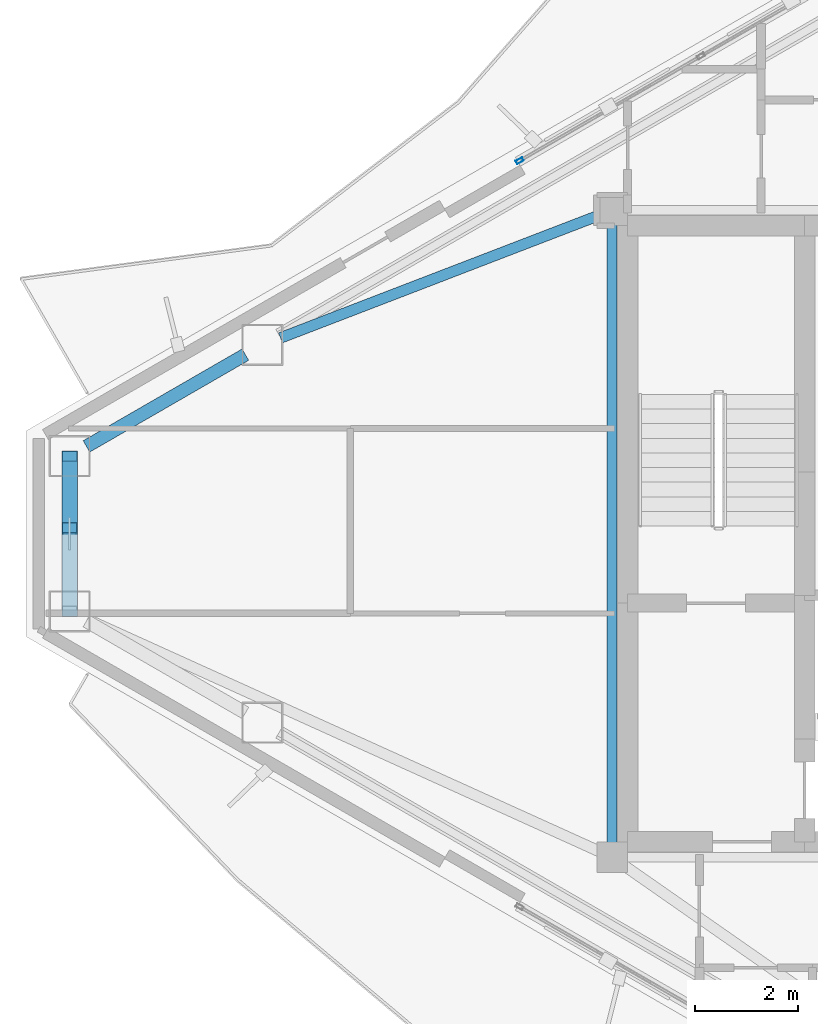
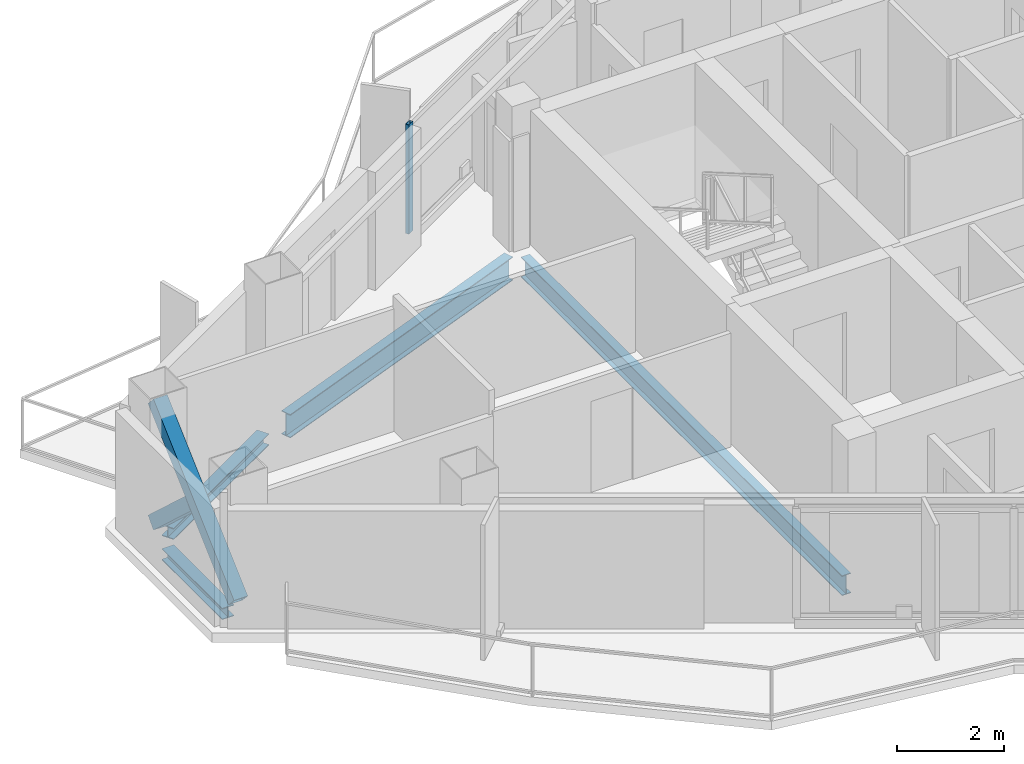
# One storey, part 8 of 18: 4 beams, 3 members, 1 element without a shape of its own.
"""IFC4 building model written with IfcOpenShell, lengths in metres."""

from ifc_helpers import new_model, si_unit, direction, frame, origin, origin_2d, place, context, subcontext, project, spatial, hollow_rectangle, i_section, extrude, material, layer, layer_set, material_profile, profile_set, type_object, element, aggregate, save


model = new_model("IFC4")

# Units and contexts
model_context = context("Model", 3, precision=1e-05, world=origin(), true_north=direction((0.0, 1.0)))
body_context = subcontext(model_context, "Body", "Model", "MODEL_VIEW")
ifc_project = project(units=[si_unit("LENGTHUNIT", "METRE"), si_unit("AREAUNIT", "SQUARE_METRE"), si_unit("VOLUMEUNIT", "CUBIC_METRE"), si_unit("PLANEANGLEUNIT", "RADIAN"), si_unit("MASSUNIT", "GRAM", prefix="KILO")], contexts=[model_context])

# Site, building, storey
site_placement = place(None, origin())
site = spatial("IfcSite", under=ifc_project, at=site_placement, CompositionType="ELEMENT")
building_placement = place(site_placement, origin())
building = spatial("IfcBuilding", under=site, at=building_placement, Name="Mersakhor Tower and Convention Hall", CompositionType="ELEMENT")
storey_placement = place(building_placement, frame((0.0, 0.0, 239.699951171875)))
storey = spatial("IfcBuildingStorey", under=building, at=storey_placement, Name="L67", CompositionType="ELEMENT", Elevation=239.699951171875)

# Beams
ifc_material_1 = material(Name="Steel S355", Category="steel")
ifc_material_profile_1 = material_profile(ifc_material_1, i_section(OverallWidth=0.19140625, OverallDepth=0.4599609375, WebThickness=0.010009765625, FlangeThickness=0.01611328125, at=origin_2d()), Name="UB 457x191x82")
ifc_profile_set_1 = profile_set([ifc_material_profile_1], Name="Steel S355")
beam_type_1 = type_object("IfcBeamType", Name="BM-FB-457", PredefinedType="BEAM", material=ifc_profile_set_1)
beam_1_placement = place(storey_placement, frame((21.89990234375, 20.72998046875, -0.449951171875), z_axis=(0.0, 1.0, 0.0), x_axis=(-1.0, 0.0, 0.0)))
element("IfcBeam", 1, at=beam_1_placement, inside=storey, type_object=beam_type_1, Name="L67 Core Ring Tie Beam CRB-1", PredefinedType="BEAM", context=body_context, shape_type="SweptSolid", body=[
    extrude(i_section(OverallWidth=0.19140625, OverallDepth=0.4599609375, WebThickness=0.010009765625, FlangeThickness=0.01611328125, at=origin_2d()), origin(), (0.0, 0.0, 1.0), 12.0400390625),
])
ifc_material_2 = material(Name="Steel S355", Category="steel")
ifc_material_profile_2 = material_profile(ifc_material_2, i_section(OverallWidth=0.2099609375, OverallDepth=0.53662109375, WebThickness=0.0107421875, FlangeThickness=0.017333984375, at=origin_2d()), Name="UB 533x210x101")
ifc_profile_set_2 = profile_set([ifc_material_profile_2], Name="Steel S355")
beam_type_2 = type_object("IfcBeamType", Name="BM-FB-533", PredefinedType="BEAM", material=ifc_profile_set_2)
beam_2_placement = place(storey_placement, frame((21.638671875, 32.949462890625, -0.48828125), z_axis=(-0.933316231297, -0.359055444741, 0.0), x_axis=(0.359055444741, -0.933316231297, 0.0)))
element("IfcBeam", 2, at=beam_2_placement, inside=storey, type_object=beam_type_2, Name="L67 Primary Floor Girder FG-1", PredefinedType="BEAM", context=body_context, shape_type="SweptSolid", body=[
    extrude(i_section(OverallWidth=0.2099609375, OverallDepth=0.53662109375, WebThickness=0.0107421875, FlangeThickness=0.017333984375, at=origin_2d()), origin(), (0.0, 0.0, 1.0), 6.64111328125),
])
ifc_material_3 = material(Name="Steel S355", Category="steel")
ifc_material_profile_3 = material_profile(ifc_material_3, i_section(OverallWidth=0.25634765625, OverallDepth=0.26025390625, WebThickness=0.01025390625, FlangeThickness=0.017333984375, at=origin_2d()), Name="UC 254x254x89")
ifc_profile_set_3 = profile_set([ifc_material_profile_3], Name="Steel S355")
beam_type_3 = type_object("IfcBeamType", Name="BM-SPD-UC254", PredefinedType="SPANDREL", material=ifc_profile_set_3)
beam_3_placement = place(storey_placement, frame((11.6611328125, 28.451416015625, -0.35009765625), z_axis=(0.866032030752, 0.499988521579, 0.0), x_axis=(-0.499988521579, 0.866032030752, 0.0)))
element("IfcBeam", 3, at=beam_3_placement, inside=storey, type_object=beam_type_3, Name="L67 Perimeter Spandrel Beam SPB-01", PredefinedType="SPANDREL", context=body_context, shape_type="SweptSolid", body=[
    extrude(i_section(OverallWidth=0.25634765625, OverallDepth=0.26025390625, WebThickness=0.01025390625, FlangeThickness=0.017333984375, at=origin_2d()), origin(), (0.0, 0.0, 1.0), 3.57421875),
])
beam_4_placement = place(storey_placement, frame((11.33203125, 25.61865234375, -0.35009765625), z_axis=(0.0, 1.0, 0.0), x_axis=(-1.0, 0.0, 0.0)))
element("IfcBeam", 4, at=beam_4_placement, inside=storey, type_object=beam_type_3, Name="L67 Perimeter Spandrel Beam SPB-12", PredefinedType="SPANDREL", context=body_context, shape_type="SweptSolid", body=[
    extrude(i_section(OverallWidth=0.25634765625, OverallDepth=0.26025390625, WebThickness=0.01025390625, FlangeThickness=0.017333984375, at=origin_2d()), origin(), (0.0, 0.0, 1.0), 2.2626953125),
])

# Curtain wall, member
ifc_material_4 = material(Name="Dark solar low-E aluminium curtain wall", Category="aluminium")
ifc_layer = layer(ifc_material_4, 0.179931640625)
ifc_layer_set = layer_set([ifc_layer], Name="Dark solar low-E aluminium curtain wall")
curtain_wall_type = type_object("IfcCurtainWallType", Name="CW-SYS-03", PredefinedType="USERDEFINED", material=ifc_layer_set)
curtain_wall_placement = place(storey_placement, origin())
curtain_wall = element("IfcCurtainWall", 5, at=curtain_wall_placement, inside=storey, type_object=curtain_wall_type, Name="L67 Dark-Glass Curtain Wall F1-B2", ObjectType="CURTAIN WALL", PredefinedType="USERDEFINED")
ifc_material_5 = material(Name="Anodised aluminium EN AW-6063 T6", Category="aluminium")
ifc_material_profile_4 = material_profile(ifc_material_5, hollow_rectangle(XDim=0.074951171875, YDim=0.14990234375, WallThickness=0.00634765625, at=origin_2d()), Name="RHS 150x75x6.3")
ifc_profile_set_4 = profile_set([ifc_material_profile_4], Name="Anodised aluminium EN AW-6063 T6")
member_type_1 = type_object("IfcMemberType", Name="CWM-150x75", PredefinedType="MULLION", material=ifc_profile_set_4)
member_1_placement = place(storey_placement, frame((20.098388671875, 34.015380859375, 0.199951171875), z_axis=(0.0, 0.0, 1.0), x_axis=(-0.500004411169, 0.86602285698, 0.0)))
member_1 = element("IfcMember", 6, at=member_1_placement, type_object=member_type_1, Name="CW-03 mullion 1", PredefinedType="MULLION", context=body_context, shape_type="SweptSolid", body=[
    extrude(hollow_rectangle(XDim=0.074951171875, YDim=0.14990234375, WallThickness=0.00634765625, at=origin_2d()), origin(), (0.0, 0.0, 1.0), 2.5),
])
aggregate(curtain_wall, [member_1])

# Members
ifc_material_6 = material(Name="Steel S355", Category="steel")
ifc_material_profile_5 = material_profile(ifc_material_6, hollow_rectangle(XDim=0.300048828125, YDim=0.300048828125, WallThickness=0.01611328125, at=origin_2d()), Name="SHS 300x300x16")
ifc_profile_set_5 = profile_set([ifc_material_profile_5], Name="Steel S355")
member_type_2 = type_object("IfcMemberType", Name="MB-BRC-SHS300", PredefinedType="BRACE", material=ifc_profile_set_5)
member_2_placement = place(storey_placement, frame((11.33203125, 25.23876953125, 0.150146484375), z_axis=(0.0, 0.736037648473, 0.67694060303), x_axis=(-1.0, 0.0, 0.0)))
element("IfcMember", 7, at=member_2_placement, inside=storey, type_object=member_type_2, Name="L67 Chamfer Braced Frame Diagonal CB-3A", PredefinedType="BRACE", context=body_context, shape_type="SweptSolid", body=[
    extrude(hollow_rectangle(XDim=0.300048828125, YDim=0.300048828125, WallThickness=0.01611328125, at=origin_2d()), origin(), (0.0, 0.0, 1.0), 4.1064453125),
])
member_3_placement = place(storey_placement, frame((11.33203125, 28.26123046875, 0.150146484375), z_axis=(0.0, -0.735997778537, 0.676983951057), x_axis=(1.0, 0.0, 0.0)))
element("IfcMember", 8, at=member_3_placement, inside=storey, type_object=member_type_2, Name="L67 Chamfer Braced Frame Diagonal CB-3B Lower Half", PredefinedType="BRACE", context=body_context, shape_type="SweptSolid", body=[
    extrude(hollow_rectangle(XDim=0.300048828125, YDim=0.300048828125, WallThickness=0.01611328125, at=origin_2d()), origin(), (0.0, 0.0, 1.0), 1.894775390625),
])

save(model, "model.ifc")
